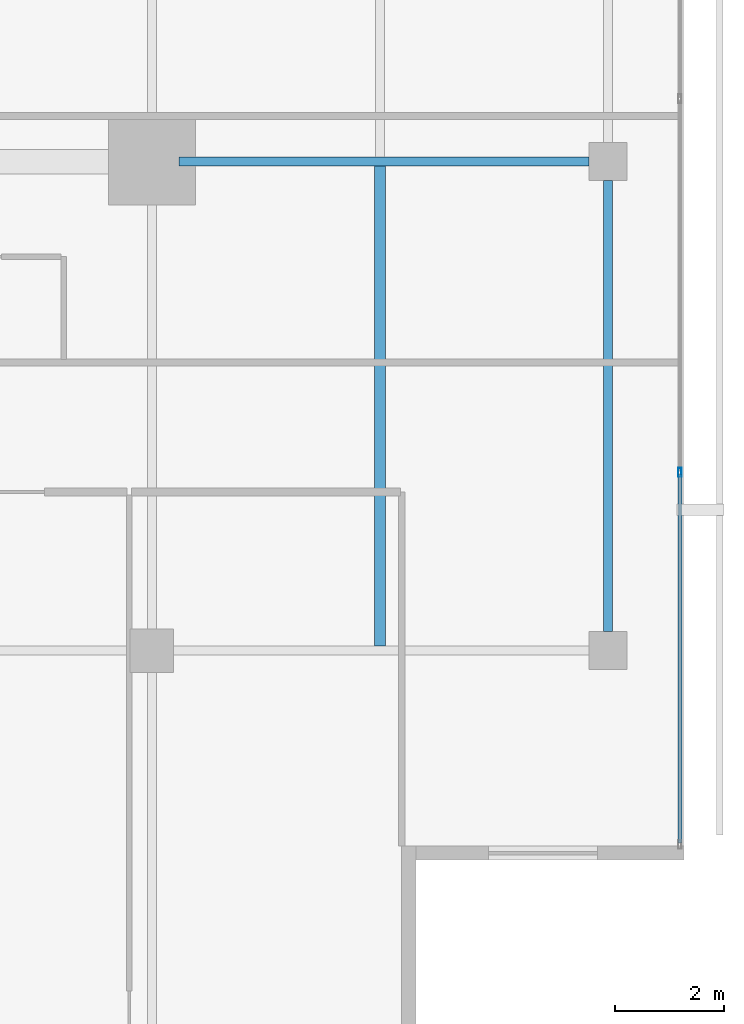
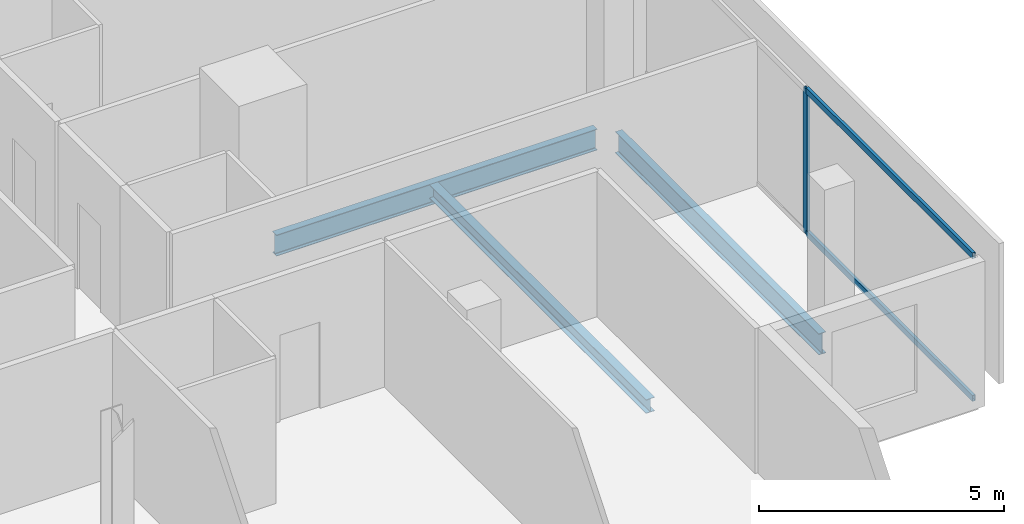
# One storey, part 12 of 26: 3 beams, 3 members, 1 element without a shape of its own.
"""IFC4 building model written with IfcOpenShell, lengths in metres."""

from ifc_helpers import new_model, si_unit, direction, frame, origin, origin_2d, place, context, subcontext, project, spatial, hollow_rectangle, i_section, extrude, material, layer, layer_set, material_profile, profile_set, type_object, element, aggregate, save


model = new_model("IFC4")

# Units and contexts
model_context = context("Model", 3, precision=1e-05, world=origin(), true_north=direction((0.0, 1.0)))
body_context = subcontext(model_context, "Body", "Model", "MODEL_VIEW")
ifc_project = project(units=[si_unit("LENGTHUNIT", "METRE"), si_unit("AREAUNIT", "SQUARE_METRE"), si_unit("VOLUMEUNIT", "CUBIC_METRE"), si_unit("PLANEANGLEUNIT", "RADIAN"), si_unit("MASSUNIT", "GRAM", prefix="KILO")], contexts=[model_context])

# Site, building, storey
site_placement = place(None, origin())
site = spatial("IfcSite", under=ifc_project, at=site_placement, CompositionType="ELEMENT")
building_placement = place(site_placement, origin())
building = spatial("IfcBuilding", under=site, at=building_placement, Name="Maruvema Waterfront Hotel and Observation Tower", CompositionType="ELEMENT")
storey_placement = place(building_placement, frame((0.0, 0.0, 301.0)))
storey = spatial("IfcBuildingStorey", under=building, at=storey_placement, Name="L74", CompositionType="ELEMENT", Elevation=301.0)

# Curtain wall, members
ifc_material_1 = material(Name="Anodised bronze aluminium and solar-control low-E IGU", Category="aluminium")
ifc_layer = layer(ifc_material_1, 0.159912109375, Name="Zone 3 Champagne Inner Thermal Curtain Wall System CW-04")
ifc_layer_set = layer_set([ifc_layer], Name="Anodised bronze aluminium and solar-control low-E IGU")
curtain_wall_type = type_object("IfcCurtainWallType", Name="Zone 3 Champagne Inner Thermal Curtain Wall System CW-04", PredefinedType="USERDEFINED", material=ifc_layer_set)
curtain_wall_placement = place(storey_placement, origin())
curtain_wall = element("IfcCurtainWall", 1, at=curtain_wall_placement, inside=storey, type_object=curtain_wall_type, Name="L74 Curtain Wall CW-L74-E", ObjectType="UNITISED CURTAIN WALL", PredefinedType="USERDEFINED")
ifc_material_2 = material(Name="Anodised architectural bronze aluminium", Category="aluminium")
ifc_material_profile_1 = material_profile(ifc_material_2, hollow_rectangle(XDim=0.070068359375, YDim=0.14990234375, WallThickness=0.00390625, at=origin_2d()), Name="ALU-T70x150")
ifc_profile_set_1 = profile_set([ifc_material_profile_1], Name="Anodised architectural bronze aluminium")
member_type_1 = type_object("IfcMemberType", Name="Curtain Wall Horizontal Transom ALU-T70x150", PredefinedType="USERDEFINED", material=ifc_profile_set_1)
member_1_placement = place(storey_placement, frame((60.1201171875, 14.4599609375, 0.030029296875), z_axis=(0.0, 1.0, 0.0), x_axis=(-1.0, 0.0, 0.0)))
member_1 = element("IfcMember", 2, at=member_1_placement, type_object=member_type_1, Name="CW-04 transom 1.1", ObjectType="TRANSOM", PredefinedType="USERDEFINED", context=body_context, shape_type="SweptSolid", body=[
    extrude(hollow_rectangle(XDim=0.070068359375, YDim=0.14990234375, WallThickness=0.00390625, at=origin_2d()), origin(), (0.0, 0.0, 1.0), 6.7900390625),
])
member_2_placement = place(storey_placement, frame((60.1201171875, 14.4599609375, 3.580078125), z_axis=(0.0, 1.0, 0.0), x_axis=(-1.0, 0.0, 0.0)))
member_2 = element("IfcMember", 3, at=member_2_placement, type_object=member_type_1, Name="CW-04 transom 1.2", ObjectType="TRANSOM", PredefinedType="USERDEFINED", context=body_context, shape_type="SweptSolid", body=[
    extrude(hollow_rectangle(XDim=0.070068359375, YDim=0.14990234375, WallThickness=0.00390625, at=origin_2d()), origin(), (0.0, 0.0, 1.0), 6.7900390625),
])
ifc_material_3 = material(Name="Anodised architectural bronze aluminium", Category="aluminium")
ifc_material_profile_2 = material_profile(ifc_material_3, hollow_rectangle(XDim=0.06494140625, YDim=0.1650390625, WallThickness=0.00390625, at=origin_2d()), Name="ALU-M65x165")
ifc_profile_set_2 = profile_set([ifc_material_profile_2], Name="Anodised architectural bronze aluminium")
member_type_2 = type_object("IfcMemberType", Name="Curtain Wall Primary Mullion ALU-M65x165", PredefinedType="MULLION", material=ifc_profile_set_2)
member_3_placement = place(storey_placement, frame((60.1201171875, 21.280029296875, 0.0), z_axis=(0.0, 0.0, 1.0), x_axis=(-1.0, 0.0, 0.0)))
member_3 = element("IfcMember", 4, at=member_3_placement, type_object=member_type_2, Name="CW-04 mullion 2", PredefinedType="MULLION", context=body_context, shape_type="SweptSolid", body=[
    extrude(hollow_rectangle(XDim=0.06494140625, YDim=0.1650390625, WallThickness=0.00390625, at=origin_2d()), origin(), (0.0, 0.0, 1.0), 3.610107421875),
])
aggregate(curtain_wall, [member_3, member_1, member_2])

# Beams
ifc_material_4 = material(Name="Steel ASTM A572 Grade 50", Category="steel")
ifc_material_profile_3 = material_profile(ifc_material_4, i_section(OverallWidth=0.166015625, OverallDepth=0.529052734375, WebThickness=0.009765625, FlangeThickness=0.013671875, FilletRadius=0.014892578125, at=origin_2d()), Name="W530x74.0")
ifc_profile_set_3 = profile_set([ifc_material_profile_3], Name="Steel ASTM A572 Grade 50")
beam_type_1 = type_object("IfcBeamType", Name="Primary Floor Girder W530x74.0", PredefinedType="BEAM", material=ifc_profile_set_3)
beam_1_placement = place(storey_placement, frame((50.89990234375, 27.0, -0.50439453125), z_axis=(1.0, 0.0, 0.0), x_axis=(0.0, 1.0, 0.0)))
element("IfcBeam", 5, at=beam_1_placement, inside=storey, type_object=beam_type_1, Name="L74 Floor Girder EW-11", PredefinedType="BEAM", context=body_context, shape_type="SweptSolid", body=[
    extrude(i_section(OverallWidth=0.166015625, OverallDepth=0.529052734375, WebThickness=0.009765625, FlangeThickness=0.013671875, FilletRadius=0.014892578125, at=origin_2d()), origin(), (0.0, 0.0, 1.0), 7.550048828125),
])
beam_2_placement = place(storey_placement, frame((58.800048828125, 18.35009765625, -0.50439453125), z_axis=(0.0, 1.0, 0.0), x_axis=(-1.0, 0.0, 0.0)))
element("IfcBeam", 6, at=beam_2_placement, inside=storey, type_object=beam_type_1, Name="L74 Floor Girder NS-16", PredefinedType="BEAM", context=body_context, shape_type="SweptSolid", body=[
    extrude(i_section(OverallWidth=0.166015625, OverallDepth=0.529052734375, WebThickness=0.009765625, FlangeThickness=0.013671875, FilletRadius=0.014892578125, at=origin_2d()), origin(), (0.0, 0.0, 1.0), 8.2998046875),
])
ifc_material_5 = material(Name="Steel ASTM A572 Grade 50", Category="steel")
ifc_material_profile_4 = material_profile(ifc_material_5, i_section(OverallWidth=0.202880859375, OverallDepth=0.346923828125, WebThickness=0.0078125, FlangeThickness=0.013427734375, FilletRadius=0.014892578125, at=origin_2d()), Name="W360x64.0")
ifc_profile_set_4 = profile_set([ifc_material_profile_4], Name="Steel ASTM A572 Grade 50")
beam_type_2 = type_object("IfcBeamType", Name="Secondary Floor Joist W360x64.0", PredefinedType="JOIST", material=ifc_profile_set_4)
beam_3_placement = place(storey_placement, frame((54.60009765625, 18.0830078125, -0.41357421875), z_axis=(0.0, 1.0, 0.0), x_axis=(-1.0, 0.0, 0.0)))
element("IfcBeam", 7, at=beam_3_placement, inside=storey, type_object=beam_type_2, Name="L74 Secondary Floor Joist JS-07", PredefinedType="JOIST", context=body_context, shape_type="SweptSolid", body=[
    extrude(i_section(OverallWidth=0.202880859375, OverallDepth=0.346923828125, WebThickness=0.0078125, FlangeThickness=0.013427734375, FilletRadius=0.014892578125, at=origin_2d()), origin(), (0.0, 0.0, 1.0), 8.833984375),
])

save(model, "model.ifc")
